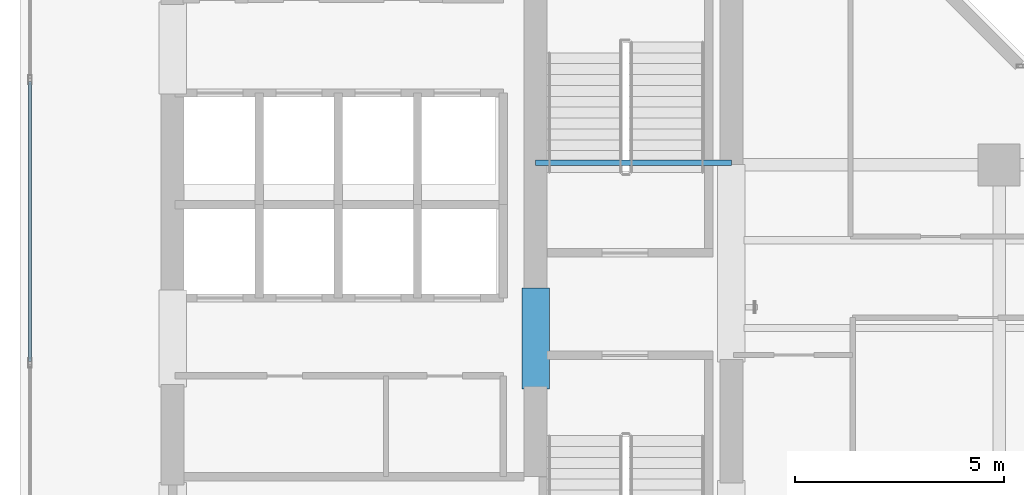
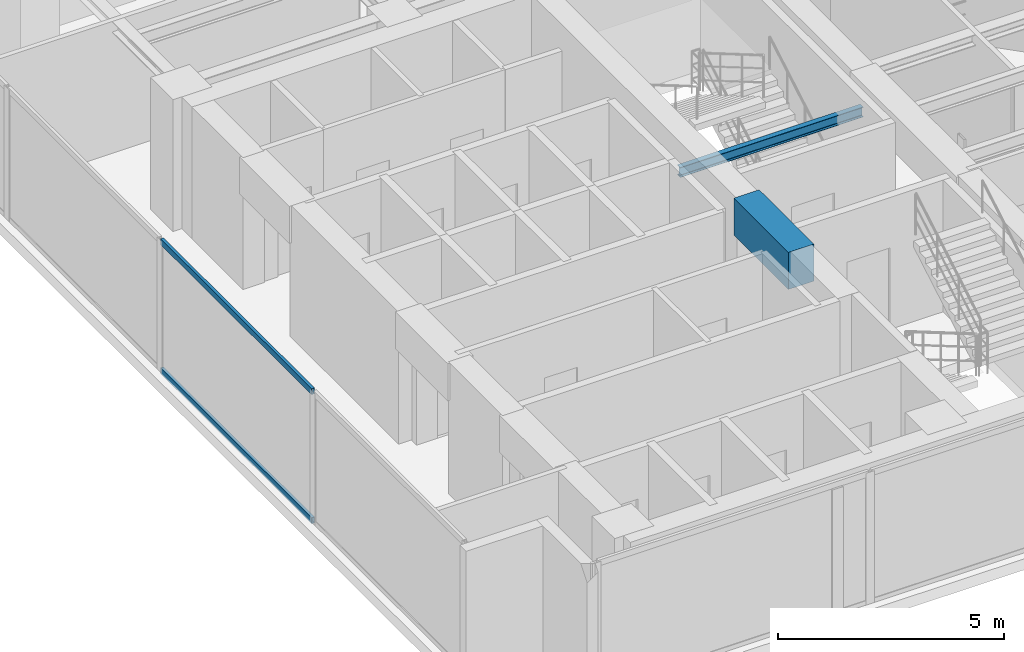
# One storey, part 3 of 25: 2 beams, 2 members, 1 element without a shape of its own.
"""IFC4 building model written with IfcOpenShell, lengths in metres."""

from ifc_helpers import new_model, si_unit, direction, frame, origin, origin_with_axes, origin_2d, place, context, subcontext, project, spatial, rectangle, hollow_rectangle, i_section, extrude, source, transform, mapped, material, layer, layer_set, material_profile, profile_set, type_object, element, aggregate, save


model = new_model("IFC4")

# Units and contexts
model_context = context("Model", 3, precision=1e-05, world=origin(), true_north=direction((0.0, 1.0)))
body_context = subcontext(model_context, "Body", "Model", "MODEL_VIEW")
ifc_project = project(units=[si_unit("LENGTHUNIT", "METRE"), si_unit("AREAUNIT", "SQUARE_METRE"), si_unit("VOLUMEUNIT", "CUBIC_METRE"), si_unit("PLANEANGLEUNIT", "RADIAN"), si_unit("MASSUNIT", "GRAM", prefix="KILO")], contexts=[model_context])

# Site, building, storey
site_placement = place(None, origin())
site = spatial("IfcSite", under=ifc_project, at=site_placement, CompositionType="ELEMENT")
building_placement = place(site_placement, origin())
building = spatial("IfcBuilding", under=site, at=building_placement, Name="Kolvaren Waterfront Exchange", CompositionType="ELEMENT")
storey_placement = place(building_placement, frame((0.0, 0.0, 223.5)))
storey = spatial("IfcBuildingStorey", under=building, at=storey_placement, Name="L57", CompositionType="ELEMENT", Elevation=223.5)

# Beams
ifc_material_1 = material(Name="Steel S355", Category="steel")
ifc_material_profile_1 = material_profile(ifc_material_1, i_section(OverallWidth=0.135009765625, OverallDepth=0.27001953125, WebThickness=0.006591796875, FlangeThickness=0.01025390625, FilletRadius=0.014892578125, at=origin_2d()), Name="IPE270")
ifc_profile_set_1 = profile_set([ifc_material_profile_1], Name="Steel S355")
beam_type_1 = type_object("IfcBeamType", Name="STR-BM-IPE270", PredefinedType="LINTEL", material=ifc_profile_set_1)
beam_1_placement = place(storey_placement, frame((16.125, 17.449951171875, 2.364990234375), z_axis=(1.0, 0.0, 0.0), x_axis=(0.0, 1.0, 0.0)))
element("IfcBeam", 1, at=beam_1_placement, inside=storey, type_object=beam_type_1, Name="L57 core stair header lintel", PredefinedType="LINTEL", context=body_context, shape_type="SweptSolid", body=[
    extrude(i_section(OverallWidth=0.135009765625, OverallDepth=0.27001953125, WebThickness=0.006591796875, FlangeThickness=0.01025390625, FilletRadius=0.014892578125, at=origin_2d()), origin(), (0.0, 0.0, 1.0), 4.675048828125),
])
ifc_material_2 = material(Name="Concrete C60/75", Category="concrete")
ifc_material_profile_2 = material_profile(ifc_material_2, rectangle(XDim=0.64990234375, YDim=1.0, at=origin_2d()), Name="RC-CB-1000x650")
ifc_profile_set_2 = profile_set([ifc_material_profile_2], Name="Concrete C60/75")
beam_type_2 = type_object("IfcBeamType", Name="STR-CB-1000", PredefinedType="SPANDREL", material=ifc_profile_set_2)
beam_2_placement = place(storey_placement, frame((16.125, 12.0400390625, 3.06005859375), z_axis=(0.0, 1.0, 0.0), x_axis=(-1.0, 0.0, 0.0)))
element("IfcBeam", 2, at=beam_2_placement, inside=storey, type_object=beam_type_2, Name="L57 core coupling beam 6", PredefinedType="SPANDREL", context=body_context, shape_type="SweptSolid", body=[
    extrude(rectangle(XDim=0.64990234375, YDim=1.0, at=origin_2d()), origin(), (0.0, 0.0, 1.0), 2.419921875),
])

# Curtain wall, members
ifc_material_3 = material(Name="Anodised aluminium 6063-T6", Category="aluminium")
ifc_layer = layer(ifc_material_3, 0.219970703125, Name="Anodised aluminium 6063-T6")
ifc_layer_set = layer_set([ifc_layer], Name="Anodised aluminium 6063-T6")
curtain_wall_type = type_object("IfcCurtainWallType", Name="ARC-CW-SYS2", PredefinedType="USERDEFINED", material=ifc_layer_set)
curtain_wall_placement = place(storey_placement, origin())
curtain_wall = element("IfcCurtainWall", 3, at=curtain_wall_placement, inside=storey, type_object=curtain_wall_type, Name="L57 stick curtain wall CW2 (CW-L57-W)", ObjectType="STICK CURTAIN WALL", PredefinedType="USERDEFINED")
ifc_material_profile_3 = material_profile(ifc_material_3, hollow_rectangle(XDim=0.074951171875, YDim=0.159912109375, WallThickness=0.00439453125, at=origin_2d()), Name="ALU-TRN-160x75x4.5")
ifc_profile_set_3 = profile_set([ifc_material_profile_3], Name="Anodised aluminium 6063-T6")
member_type = type_object("IfcMemberType", Name="ARC-CWT-160", PredefinedType="USERDEFINED", material=ifc_profile_set_3)
shared_shape = source(origin_with_axes(), body_context, "Body", "SweptSolid", [
    extrude(hollow_rectangle(XDim=0.074951171875, YDim=0.159912109375, WallThickness=0.00439453125, at=origin_2d()), origin(), (0.0, 0.0, 1.0), 6.6865234375),
])
member_1_placement = place(storey_placement, frame((4.0400390625, 12.706787109375, 0.03759765625), z_axis=(0.0, 1.0, 0.0), x_axis=(-1.0, 0.0, 0.0)))
member_1 = element("IfcMember", 4, at=member_1_placement, type_object=member_type, Name="CW2 transom 2.1", ObjectType="TRANSOM", PredefinedType="USERDEFINED", context=body_context, shape_type="MappedRepresentation", body=[
    mapped(shared_shape, transform((0.0, 0.0, 0.0), x_axis=(1.0, 0.0, 0.0), y_axis=(0.0, 1.0, 0.0), z_axis=(0.0, 0.0, 1.0), scale=1.0)),
])
member_2_placement = place(storey_placement, frame((4.0400390625, 12.706787109375, 3.5224609375), z_axis=(0.0, 1.0, 0.0), x_axis=(-1.0, 0.0, 0.0)))
member_2 = element("IfcMember", 5, at=member_2_placement, type_object=member_type, Name="CW2 transom 2.2", ObjectType="TRANSOM", PredefinedType="USERDEFINED", context=body_context, shape_type="MappedRepresentation", body=[
    mapped(shared_shape, transform((0.0, 0.0, 0.0), x_axis=(1.0, 0.0, 0.0), y_axis=(0.0, 1.0, 0.0), z_axis=(0.0, 0.0, 1.0), scale=1.0)),
])
aggregate(curtain_wall, [member_1, member_2])

save(model, "model.ifc")
